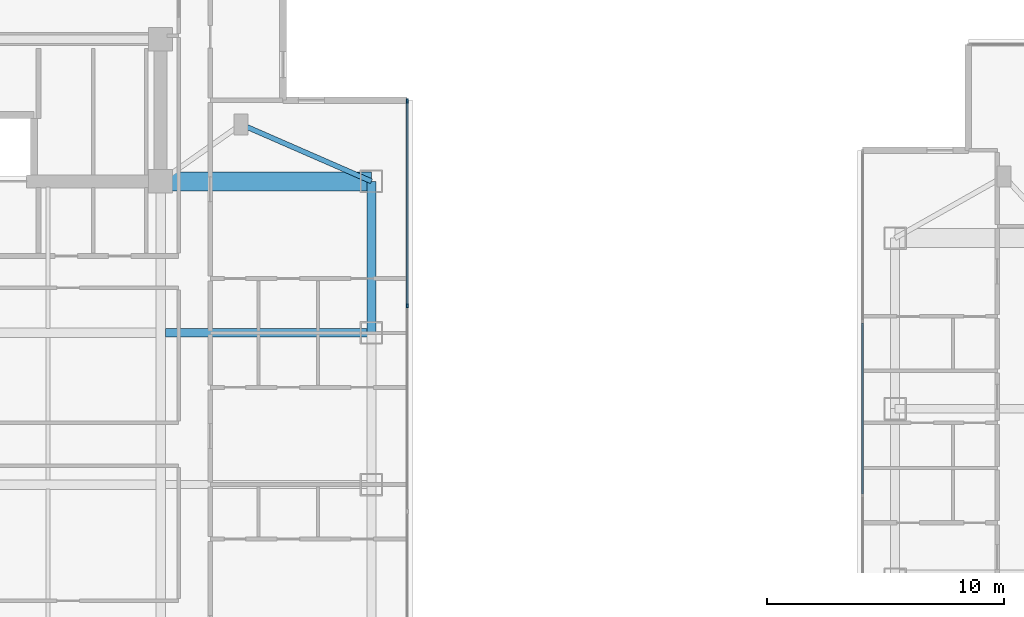
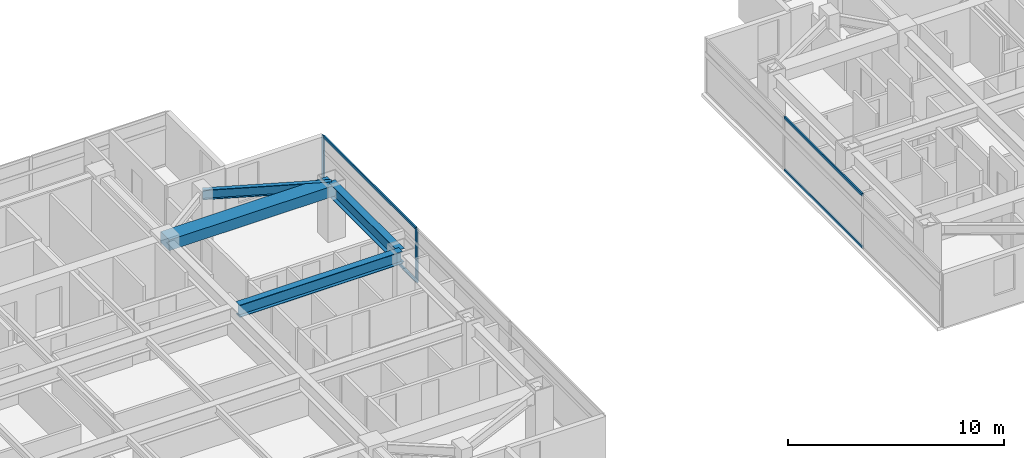
# One storey, part 6 of 24: 6 members, 4 beams, 2 elements without a shape of their own.
"""IFC4 building model written with IfcOpenShell, lengths in metres."""

from ifc_helpers import new_model, si_unit, direction, frame, origin, origin_2d, place, context, subcontext, project, spatial, rectangle, i_section, extrude, material, material_profile, profile_set, type_object, element, aggregate, save


model = new_model("IFC4")

# Units and contexts
model_context = context("Model", 3, precision=1e-05, world=origin(), true_north=direction((0.0, 1.0)))
body_context = subcontext(model_context, "Body", "Model", "MODEL_VIEW")
ifc_project = project(units=[si_unit("LENGTHUNIT", "METRE"), si_unit("AREAUNIT", "SQUARE_METRE"), si_unit("VOLUMEUNIT", "CUBIC_METRE"), si_unit("PLANEANGLEUNIT", "RADIAN"), si_unit("MASSUNIT", "GRAM", prefix="KILO")], contexts=[model_context])

# Site, building, storey
site_placement = place(None, origin())
site = spatial("IfcSite", under=ifc_project, at=site_placement, CompositionType="ELEMENT")
building_placement = place(site_placement, origin())
building = spatial("IfcBuilding", under=site, at=building_placement, Name="Mirazonda Arch Towers", CompositionType="ELEMENT")
storey_placement = place(building_placement, frame((0.0, 0.0, 157.64990234375)))
storey = spatial("IfcBuildingStorey", under=building, at=storey_placement, Name="L44", CompositionType="ELEMENT", Elevation=157.64990234375)

# Beams
ifc_material_1 = material(Name="Steel ASTM A992 Grade 50", Category="steel")
ifc_material_profile_1 = material_profile(ifc_material_1, i_section(OverallWidth=0.381103515625, OverallDepth=0.77294921875, WebThickness=0.0166015625, FlangeThickness=0.027099609375, at=origin_2d()), Name="W30X173")
ifc_profile_set_1 = profile_set([ifc_material_profile_1], Name="Steel ASTM A992 Grade 50")
beam_type_1 = type_object("IfcBeamType", Name="BM-EXT-W30X173", PredefinedType="USERDEFINED", material=ifc_profile_set_1)
beam_1_placement = place(storey_placement, frame((38.89990234375, 31.199951171875, 2.66357421875), z_axis=(0.0, 1.0, 0.0), x_axis=(-1.0, 0.0, 0.0)))
element("IfcBeam", 1, at=beam_1_placement, inside=storey, type_object=beam_type_1, Name="L44 Floor Beam BM-T1-L44-NS-E-31", ObjectType="GIRDER", PredefinedType="USERDEFINED", context=body_context, shape_type="SweptSolid", body=[
    extrude(i_section(OverallWidth=0.381103515625, OverallDepth=0.77294921875, WebThickness=0.0166015625, FlangeThickness=0.027099609375, at=origin_2d()), origin(), (0.0, 0.0, 1.0), 6.400146484375),
])
ifc_material_profile_2 = material_profile(ifc_material_1, i_section(OverallWidth=0.214111328125, OverallDepth=0.549072265625, WebThickness=0.0146484375, FlangeThickness=0.023681640625, at=origin_2d()), Name="W21X93")
ifc_profile_set_2 = profile_set([ifc_material_profile_2], Name="Steel ASTM A992 Grade 50")
beam_type_2 = type_object("IfcBeamType", Name="BM-INT-W21X93", PredefinedType="BEAM", material=ifc_profile_set_2)
beam_2_placement = place(storey_placement, frame((33.39990234375, 40.0, 2.775634765625), z_axis=(0.916545343703, -0.399930785183, 0.0), x_axis=(0.399930785183, 0.916545343703, 0.0)))
element("IfcBeam", 2, at=beam_2_placement, inside=storey, type_object=beam_type_2, Name="L44 Floor Beam BM-T1-L44-PL-NE2", PredefinedType="BEAM", context=body_context, shape_type="SweptSolid", body=[
    extrude(i_section(OverallWidth=0.214111328125, OverallDepth=0.549072265625, WebThickness=0.0146484375, FlangeThickness=0.023681640625, at=origin_2d()), origin(), (0.0, 0.0, 1.0), 6.000732421875),
])
ifc_material_profile_3 = material_profile(ifc_material_1, i_section(OverallWidth=0.35498046875, OverallDepth=0.696044921875, WebThickness=0.015380859375, FlangeThickness=0.02490234375, at=origin_2d()), Name="W27X146")
ifc_profile_set_3 = profile_set([ifc_material_profile_3], Name="Steel ASTM A992 Grade 50")
beam_type_3 = type_object("IfcBeamType", Name="BM-INT-W27X146", PredefinedType="BEAM", material=ifc_profile_set_3)
beam_3_placement = place(storey_placement, frame((30.199951171875, 31.199951171875, 2.7021484375), z_axis=(1.0, 0.0, 0.0), x_axis=(0.0, 1.0, 0.0)))
element("IfcBeam", 3, at=beam_3_placement, inside=storey, type_object=beam_type_3, Name="L44 Floor Beam BM-T1-L44-GE3", PredefinedType="BEAM", context=body_context, shape_type="SweptSolid", body=[
    extrude(i_section(OverallWidth=0.35498046875, OverallDepth=0.696044921875, WebThickness=0.015380859375, FlangeThickness=0.02490234375, at=origin_2d()), origin(), (0.0, 0.0, 1.0), 8.699951171875),
])
ifc_material_2 = material(Name="Concrete C60/75", Category="concrete")
ifc_material_profile_4 = material_profile(ifc_material_2, rectangle(XDim=0.800048828125, YDim=0.60009765625, at=origin_2d()), Name="RCCB800x600")
ifc_profile_set_4 = profile_set([ifc_material_profile_4], Name="Concrete C60/75")
beam_type_4 = type_object("IfcBeamType", Name="CB-INT-RCCB800x600", PredefinedType="SPANDREL", material=ifc_profile_set_4)
beam_4_placement = place(storey_placement, frame((30.0, 37.60009765625, 2.75), z_axis=(1.0, 0.0, 0.0), x_axis=(0.0, 1.0, 0.0)))
element("IfcBeam", 4, at=beam_4_placement, inside=storey, type_object=beam_type_4, Name="L44 Floor Beam CBC-T1-L44-NE", PredefinedType="SPANDREL", context=body_context, shape_type="SweptSolid", body=[
    extrude(rectangle(XDim=0.800048828125, YDim=0.60009765625, at=origin_2d()), origin(), (0.0, 0.0, 1.0), 8.89990234375),
])

# Curtain wall, members
ifc_material_3 = material(Name="Anodised Aluminium and Low-E Glass", Category="aluminium")
curtain_wall_type = type_object("IfcCurtainWallType", Name="CW-RES-UNIT", PredefinedType="NOTDEFINED", material=ifc_material_3)
curtain_wall_1_placement = place(storey_placement, origin())
curtain_wall_1 = element("IfcCurtainWall", 5, at=curtain_wall_1_placement, inside=storey, type_object=curtain_wall_type, Name="L44 T1 E Facade CW-L44-T1-E", PredefinedType="NOTDEFINED")
ifc_material_4 = material(Name="Anodised Aluminium Alloy", Category="aluminium")
ifc_material_profile_5 = material_profile(ifc_material_4, rectangle(XDim=0.074951171875, YDim=0.175048828125, at=origin_2d()), Name="ALU-MULL-75x175")
ifc_profile_set_5 = profile_set([ifc_material_profile_5], Name="Anodised Aluminium Alloy")
member_type_1 = type_object("IfcMemberType", Name="MULL-CW-RES-UNIT", PredefinedType="MULLION", material=ifc_profile_set_5)
member_1_placement = place(storey_placement, frame((40.409912109375, 32.341064453125, 0.0), z_axis=(0.0, 0.0, 1.0), x_axis=(-1.0, 0.0, 0.0)))
member_1 = element("IfcMember", 6, at=member_1_placement, type_object=member_type_1, Name="CW-104 mullion 3", PredefinedType="MULLION", context=body_context, shape_type="SweptSolid", body=[
    extrude(rectangle(XDim=0.074951171875, YDim=0.175048828125, at=origin_2d()), origin(), (0.0, 0.0, 1.0), 3.030029296875),
])
member_2_placement = place(storey_placement, frame((40.409912109375, 40.985595703125, 0.0), z_axis=(0.0, 0.0, 1.0), x_axis=(-1.0, 0.0, 0.0)))
member_2 = element("IfcMember", 7, at=member_2_placement, type_object=member_type_1, Name="CW-104 mullion 4", PredefinedType="MULLION", context=body_context, shape_type="SweptSolid", body=[
    extrude(rectangle(XDim=0.074951171875, YDim=0.175048828125, at=origin_2d()), origin(), (0.0, 0.0, 1.0), 3.030029296875),
])
ifc_material_profile_6 = material_profile(ifc_material_4, rectangle(XDim=0.074951171875, YDim=0.155029296875, at=origin_2d()), Name="ALU-TRAN-75x155")
ifc_profile_set_6 = profile_set([ifc_material_profile_6], Name="Anodised Aluminium Alloy")
member_type_2 = type_object("IfcMemberType", Name="TRAN-CW-RES-UNIT", PredefinedType="USERDEFINED", material=ifc_profile_set_6)
member_3_placement = place(storey_placement, frame((40.409912109375, 32.37841796875, 0.03759765625), z_axis=(0.0, 1.0, 0.0), x_axis=(-1.0, 0.0, 0.0)))
member_3 = element("IfcMember", 8, at=member_3_placement, type_object=member_type_2, Name="CW-104 transom 3.1", ObjectType="TRANSOM", PredefinedType="USERDEFINED", context=body_context, shape_type="SweptSolid", body=[
    extrude(rectangle(XDim=0.074951171875, YDim=0.155029296875, at=origin_2d()), origin(), (0.0, 0.0, 1.0), 8.569580078125),
])
member_4_placement = place(storey_placement, frame((40.409912109375, 32.37841796875, 2.99267578125), z_axis=(0.0, 1.0, 0.0), x_axis=(-1.0, 0.0, 0.0)))
member_4 = element("IfcMember", 9, at=member_4_placement, type_object=member_type_2, Name="CW-104 transom 3.2", ObjectType="TRANSOM", PredefinedType="USERDEFINED", context=body_context, shape_type="SweptSolid", body=[
    extrude(rectangle(XDim=0.074951171875, YDim=0.155029296875, at=origin_2d()), origin(), (0.0, 0.0, 1.0), 8.569580078125),
])
aggregate(curtain_wall_1, [member_1, member_2, member_3, member_4])

curtain_wall_2_placement = place(storey_placement, origin())
curtain_wall_2 = element("IfcCurtainWall", 10, at=curtain_wall_2_placement, inside=storey, type_object=curtain_wall_type, Name="L44 T2 W Facade CW-L44-T2-W", PredefinedType="NOTDEFINED")
member_5_placement = place(storey_placement, frame((59.62939453125, 31.59912109375, 0.03759765625), z_axis=(0.0, -1.0, 0.0), x_axis=(1.0, 0.0, 0.0)))
member_5 = element("IfcMember", 11, at=member_5_placement, type_object=member_type_2, Name="CW-104 transom 2.1", ObjectType="TRANSOM", PredefinedType="USERDEFINED", context=body_context, shape_type="SweptSolid", body=[
    extrude(rectangle(XDim=0.074951171875, YDim=0.155029296875, at=origin_2d()), origin(), (0.0, 0.0, 1.0), 7.1982421875),
])
member_6_placement = place(storey_placement, frame((59.62939453125, 31.59912109375, 2.99267578125), z_axis=(0.0, -1.0, 0.0), x_axis=(1.0, 0.0, 0.0)))
member_6 = element("IfcMember", 12, at=member_6_placement, type_object=member_type_2, Name="CW-104 transom 2.2", ObjectType="TRANSOM", PredefinedType="USERDEFINED", context=body_context, shape_type="SweptSolid", body=[
    extrude(rectangle(XDim=0.074951171875, YDim=0.155029296875, at=origin_2d()), origin(), (0.0, 0.0, 1.0), 7.1982421875),
])
aggregate(curtain_wall_2, [member_5, member_6])

save(model, "model.ifc")
